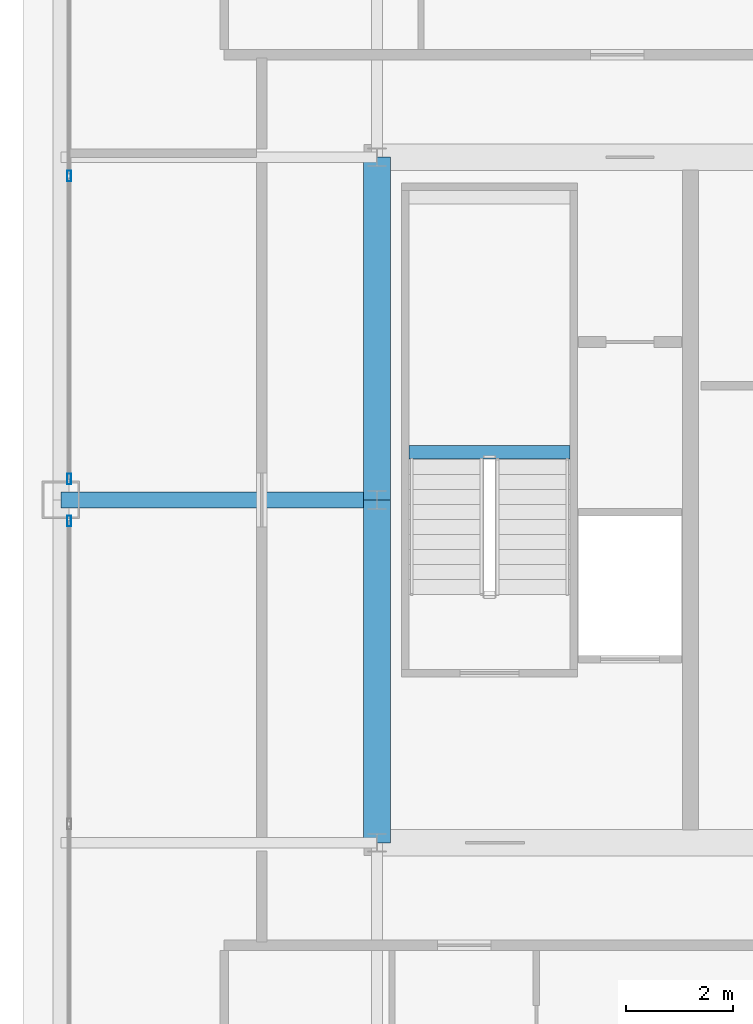
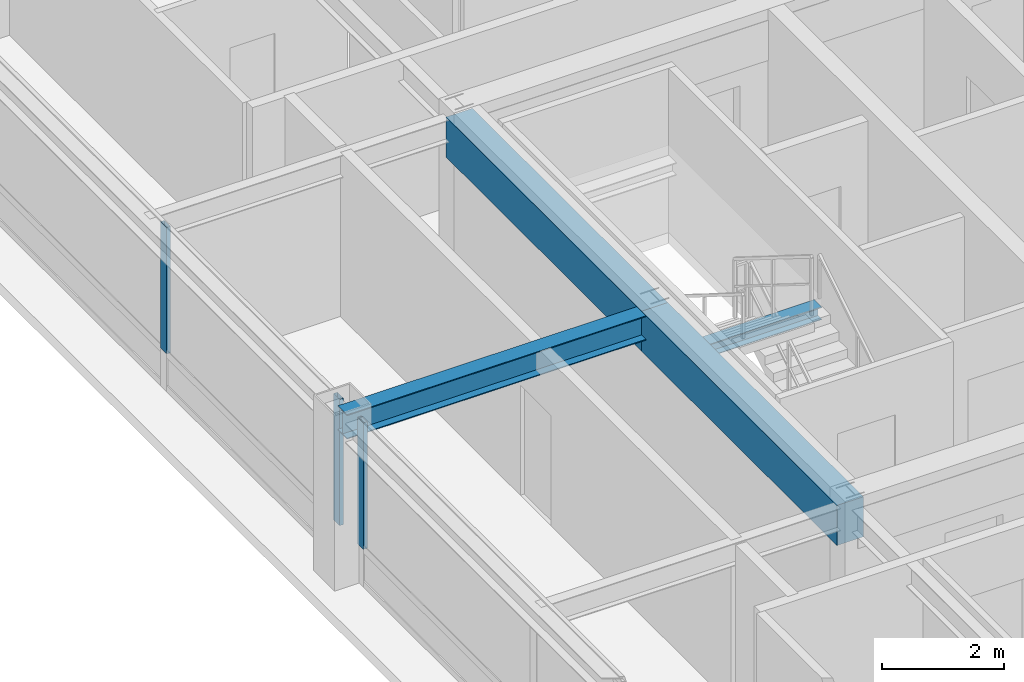
# One storey, part 11 of 35: 4 beams, 3 members, 2 elements without a shape of their own.
"""IFC4 building model written with IfcOpenShell, lengths in metres."""

from ifc_helpers import new_model, si_unit, direction, frame, origin, origin_2d, place, context, subcontext, project, spatial, rectangle, hollow_rectangle, i_section, extrude, source, transform, mapped, material, layer, layer_set, material_profile, profile_set, type_object, element, aggregate, save


model = new_model("IFC4")

# Units and contexts
model_context = context("Model", 3, precision=1e-05, world=origin(), true_north=direction((0.0, 1.0)))
body_context = subcontext(model_context, "Body", "Model", "MODEL_VIEW")
ifc_project = project(units=[si_unit("LENGTHUNIT", "METRE"), si_unit("AREAUNIT", "SQUARE_METRE"), si_unit("VOLUMEUNIT", "CUBIC_METRE"), si_unit("PLANEANGLEUNIT", "RADIAN"), si_unit("MASSUNIT", "GRAM", prefix="KILO"), si_unit("THERMODYNAMICTEMPERATUREUNIT", "KELVIN"), si_unit("POWERUNIT", "WATT")], contexts=[model_context])

# Site, building, storey
site_placement = place(None, origin())
site = spatial("IfcSite", under=ifc_project, at=site_placement, CompositionType="ELEMENT")
building_placement = place(site_placement, origin())
building = spatial("IfcBuilding", under=site, at=building_placement, Name="Yuzanri Waterfront Tower", CompositionType="ELEMENT")
storey_placement = place(building_placement, frame((0.0, 0.0, 318.199951171875)))
storey = spatial("IfcBuildingStorey", under=building, at=storey_placement, Name="L85", CompositionType="ELEMENT", Elevation=318.199951171875)

# Beams
ifc_material_1 = material(Name="Concrete C50", Category="concrete")
ifc_material_profile_1 = material_profile(ifc_material_1, rectangle(XDim=0.5, YDim=0.800048828125, at=origin_2d()), Name="RC 500x800")
ifc_profile_set_1 = profile_set([ifc_material_profile_1], Name="Concrete C50")
beam_type_1 = type_object("IfcBeamType", Name="Core Coupling Lintel Concrete C50 500x800", PredefinedType="LINTEL", material=ifc_profile_set_1)
shared_shape_1 = source(origin(), body_context, "Body", "SweptSolid", [
    extrude(rectangle(XDim=0.5, YDim=0.800048828125, at=origin_2d()), origin(), (0.0, 0.0, 1.0), 6.400146484375),
])
beam_1_placement = place(storey_placement, frame((23.800048828125, 19.39990234375, 2.880126953125), z_axis=(0.0, 1.0, 0.0), x_axis=(-1.0, 0.0, 0.0)))
element("IfcBeam", 1, at=beam_1_placement, inside=storey, type_object=beam_type_1, Name="L85 Core Tie Beam CW1", PredefinedType="LINTEL", context=body_context, shape_type="MappedRepresentation", body=[
    mapped(shared_shape_1, transform((0.0, 0.0, 0.0), scale=1.0)),
])
shared_shape_2 = source(origin(), body_context, "Body", "SweptSolid", [
    extrude(rectangle(XDim=0.5, YDim=0.800048828125, at=origin_2d()), origin(), (0.0, 0.0, 1.0), 6.39990234375),
])
beam_2_placement = place(storey_placement, frame((23.800048828125, 25.800048828125, 2.880126953125), z_axis=(0.0, 1.0, 0.0), x_axis=(-1.0, 0.0, 0.0)))
element("IfcBeam", 2, at=beam_2_placement, inside=storey, type_object=beam_type_1, Name="L85 Core Tie Beam CW2", PredefinedType="LINTEL", context=body_context, shape_type="MappedRepresentation", body=[
    mapped(shared_shape_2, transform((0.0, 0.0, 0.0), scale=1.0)),
])
ifc_material_2 = material(Name="Steel Q355B", Category="steel")
ifc_material_profile_2 = material_profile(ifc_material_2, i_section(OverallWidth=0.300048828125, OverallDepth=0.488037109375, WebThickness=0.010986328125, FlangeThickness=0.01806640625, at=origin_2d()), Name="HM 488x300x11x18")
ifc_profile_set_2 = profile_set([ifc_material_profile_2], Name="Steel Q355B")
beam_type_2 = type_object("IfcBeamType", Name="Primary Floor Girder Q355B HM 488x300", PredefinedType="BEAM", material=ifc_profile_set_2)
shared_shape_3 = source(origin(), body_context, "Body", "SweptSolid", [
    extrude(i_section(OverallWidth=0.300048828125, OverallDepth=0.488037109375, WebThickness=0.010986328125, FlangeThickness=0.01806640625, at=origin_2d()), origin(), (0.0, 0.0, 1.0), 5.900146484375),
])
beam_3_placement = place(storey_placement, frame((23.800048828125, 25.800048828125, 3.0361328125), z_axis=(-1.0, 0.0, 0.0), x_axis=(0.0, -1.0, 0.0)))
element("IfcBeam", 3, at=beam_3_placement, inside=storey, type_object=beam_type_2, Name="L85 West Grid Girder", PredefinedType="BEAM", context=body_context, shape_type="MappedRepresentation", body=[
    mapped(shared_shape_3, transform((0.0, 0.0, 0.0), scale=1.0)),
])

# Curtain wall, member
ifc_material_3 = material(Name="Anodized Architectural Bronze", Category="metal")
ifc_layer = layer(ifc_material_3, 0.159912109375)
ifc_layer_set = layer_set([ifc_layer], Name="Anodized Architectural Bronze")
curtain_wall_type = type_object("IfcCurtainWallType", Name="Anodized Bronze High-Rise Penthouse High-Wind Unitized Curtain Wall 6900", PredefinedType="NOTDEFINED", material=ifc_layer_set)
curtain_wall_1_placement = place(storey_placement, origin())
curtain_wall_1 = element("IfcCurtainWall", 4, at=curtain_wall_1_placement, inside=storey, type_object=curtain_wall_type, Name="L85 Curtain Wall CW-L85-WL", PredefinedType="NOTDEFINED")
ifc_material_4 = material(Name="Anodized Architectural Bronze", Category="metal")
ifc_material_profile_3 = material_profile(ifc_material_4, hollow_rectangle(XDim=0.074951171875, YDim=0.199951171875, WallThickness=0.00390625, at=origin_2d()), Name="CWM 75x200")
ifc_profile_set_3 = profile_set([ifc_material_profile_3], Name="Anodized Architectural Bronze")
member_type = type_object("IfcMemberType", Name="Anodized Bronze Primary Curtain-Wall Mullion 75x200", PredefinedType="MULLION", material=ifc_profile_set_3)
shared_shape_4 = source(origin(), body_context, "Body", "SweptSolid", [
    extrude(hollow_rectangle(XDim=0.074951171875, YDim=0.199951171875, WallThickness=0.00390625, at=origin_2d()), origin(), (0.0, 0.0, 1.0), 2.52392578125),
])
member_1_placement = place(storey_placement, frame((18.050048828125, 25.409912109375, 0.756103515625), z_axis=(0.0, 0.0, 1.0), x_axis=(1.0, 0.0, 0.0)))
member_1 = element("IfcMember", 5, at=member_1_placement, type_object=member_type, Name="CW-L85-WL Upper Mullion 02", PredefinedType="MULLION", context=body_context, shape_type="MappedRepresentation", body=[
    mapped(shared_shape_4, transform((0.0, 0.0, 0.0), scale=1.0)),
])
aggregate(curtain_wall_1, [member_1])

# Curtain wall, members
curtain_wall_2_placement = place(storey_placement, origin())
curtain_wall_2 = element("IfcCurtainWall", 6, at=curtain_wall_2_placement, inside=storey, type_object=curtain_wall_type, Name="L85 Curtain Wall CW-L85-WR", PredefinedType="NOTDEFINED")
member_2_placement = place(storey_placement, frame((18.050048828125, 26.18994140625, 0.756103515625), z_axis=(0.0, 0.0, 1.0), x_axis=(1.0, 0.0, 0.0)))
member_2 = element("IfcMember", 7, at=member_2_placement, type_object=member_type, Name="CW-L85-WR Upper Mullion 00", PredefinedType="MULLION", context=body_context, shape_type="MappedRepresentation", body=[
    mapped(shared_shape_4, transform((0.0, 0.0, 0.0), scale=1.0)),
])
member_3_placement = place(storey_placement, frame((18.050048828125, 31.85009765625, 0.756103515625), z_axis=(0.0, 0.0, 1.0), x_axis=(1.0, 0.0, 0.0)))
member_3 = element("IfcMember", 8, at=member_3_placement, type_object=member_type, Name="CW-L85-WR Upper Mullion 01", PredefinedType="MULLION", context=body_context, shape_type="MappedRepresentation", body=[
    mapped(shared_shape_4, transform((0.0, 0.0, 0.0), scale=1.0)),
])
aggregate(curtain_wall_2, [member_2, member_3])

# Beam
ifc_material_5 = material(Name="Steel Q355B", Category="steel")
ifc_material_profile_4 = material_profile(ifc_material_5, i_section(OverallWidth=0.25, OverallDepth=0.25, WebThickness=0.009033203125, FlangeThickness=0.013916015625, at=origin_2d()), Name="HW 250x250x9x14")
ifc_profile_set_4 = profile_set([ifc_material_profile_4], Name="Steel Q355B")
beam_type_3 = type_object("IfcBeamType", Name="Stair Landing Support Beam Q355B HW 250x250", PredefinedType="BEAM", material=ifc_profile_set_4)
shared_shape_5 = source(origin(), body_context, "Body", "SweptSolid", [
    extrude(i_section(OverallWidth=0.25, OverallDepth=0.25, WebThickness=0.009033203125, FlangeThickness=0.013916015625, at=origin_2d()), origin(), (0.0, 0.0, 1.0), 3.0),
])
beam_4_placement = place(storey_placement, frame((24.39990234375, 26.68994140625, 1.425048828125), z_axis=(1.0, 0.0, 0.0), x_axis=(0.0, 1.0, 0.0)))
element("IfcBeam", 9, at=beam_4_placement, inside=storey, type_object=beam_type_3, Name="L85 Stair Landing Support Beam ST-01-L85-L1-1", PredefinedType="BEAM", context=body_context, shape_type="MappedRepresentation", body=[
    mapped(shared_shape_5, transform((0.0, 0.0, 0.0), scale=1.0)),
])

save(model, "model.ifc")
